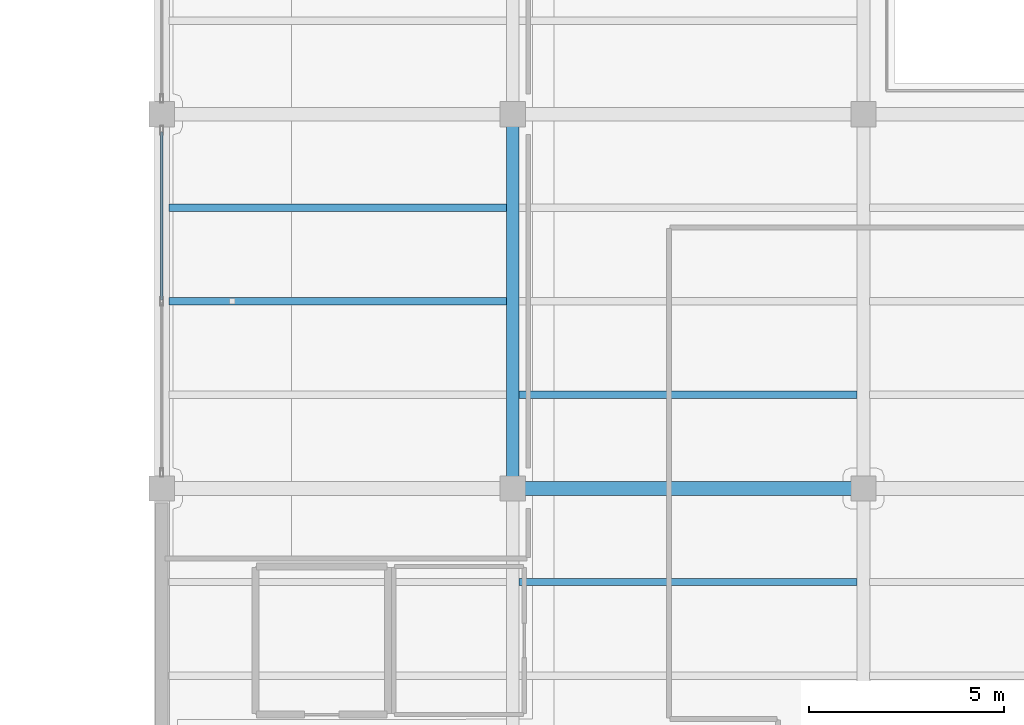
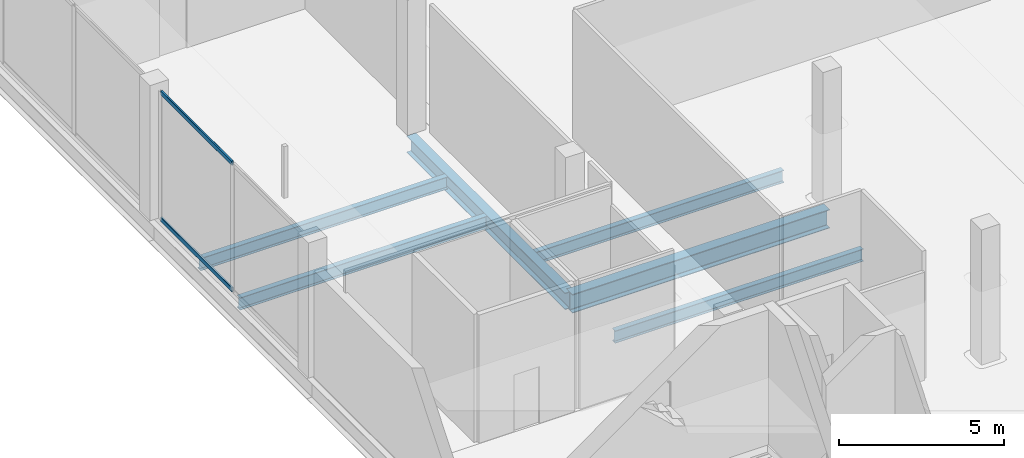
# One storey, part 4 of 46: 6 beams, 2 members, 1 element without a shape of its own.
"""IFC4 building model written with IfcOpenShell, lengths in metres."""

from ifc_helpers import new_model, si_unit, direction, frame, origin, origin_2d, place, context, subcontext, project, spatial, hollow_rectangle, i_section, extrude, material, layer, layer_set, material_profile, profile_set, type_object, element, aggregate, save


model = new_model("IFC4")

# Units and contexts
model_context = context("Model", 3, precision=1e-05, world=origin(), true_north=direction((0.0, 1.0)))
body_context = subcontext(model_context, "Body", "Model", "MODEL_VIEW")
ifc_project = project(units=[si_unit("LENGTHUNIT", "METRE"), si_unit("AREAUNIT", "SQUARE_METRE"), si_unit("VOLUMEUNIT", "CUBIC_METRE"), si_unit("PLANEANGLEUNIT", "RADIAN"), si_unit("MASSUNIT", "GRAM", prefix="KILO")], contexts=[model_context])

# Site, building, storey
site_placement = place(None, origin())
site = spatial("IfcSite", under=ifc_project, at=site_placement, CompositionType="ELEMENT")
building_placement = place(site_placement, origin())
building = spatial("IfcBuilding", under=site, at=building_placement, Name="Qorvath Tower", CompositionType="ELEMENT")
storey_placement = place(building_placement, frame((0.0, 0.0, 17.0)))
storey = spatial("IfcBuildingStorey", under=building, at=storey_placement, Name="L03", CompositionType="ELEMENT", Elevation=17.0)

# Beams
ifc_material_1 = material(Name="Steel ASTM A992 Grade 50", Category="steel")
ifc_material_profile_1 = material_profile(ifc_material_1, i_section(OverallWidth=0.35595703125, OverallDepth=0.696044921875, WebThickness=0.015380859375, FlangeThickness=0.02490234375, FilletRadius=0.01806640625, at=origin_2d()), Name="W27x146")
ifc_profile_set_1 = profile_set([ifc_material_profile_1], Name="Steel ASTM A992 Grade 50")
beam_type_1 = type_object("IfcBeamType", Name="BM-FG4", PredefinedType="BEAM", material=ifc_profile_set_1)
beam_1_placement = place(storey_placement, frame((41.39990234375, -19.199951171875, -0.60791015625), z_axis=(1.0, 0.0, 0.0), x_axis=(0.0, 1.0, 0.0)))
element("IfcBeam", 1, at=beam_1_placement, inside=storey, type_object=beam_type_1, Name="Library E-W Girder L03-3-2", PredefinedType="BEAM", context=body_context, shape_type="SweptSolid", body=[
    extrude(i_section(OverallWidth=0.35595703125, OverallDepth=0.696044921875, WebThickness=0.015380859375, FlangeThickness=0.02490234375, FilletRadius=0.01806640625, at=origin_2d()), origin(), (0.0, 0.0, 1.0), 9.0),
])
ifc_material_2 = material(Name="Steel ASTM A992 Grade 50", Category="steel")
ifc_material_profile_2 = material_profile(ifc_material_2, i_section(OverallWidth=0.324951171875, OverallDepth=0.615966796875, WebThickness=0.013916015625, FlangeThickness=0.021484375, FilletRadius=0.01611328125, at=origin_2d()), Name="W24x117")
ifc_profile_set_2 = profile_set([ifc_material_profile_2], Name="Steel ASTM A992 Grade 50")
beam_type_2 = type_object("IfcBeamType", Name="BM-FG5", PredefinedType="BEAM", material=ifc_profile_set_2)
beam_2_placement = place(storey_placement, frame((41.39990234375, -19.199951171875, -0.568115234375), z_axis=(0.0, 1.0, 0.0), x_axis=(-1.0, 0.0, 0.0)))
element("IfcBeam", 2, at=beam_2_placement, inside=storey, type_object=beam_type_2, Name="Library N-S Girder L03-2-3", PredefinedType="BEAM", context=body_context, shape_type="SweptSolid", body=[
    extrude(i_section(OverallWidth=0.324951171875, OverallDepth=0.615966796875, WebThickness=0.013916015625, FlangeThickness=0.021484375, FilletRadius=0.01611328125, at=origin_2d()), origin(), (0.0, 0.0, 1.0), 9.599853515625),
])
ifc_material_3 = material(Name="Steel ASTM A992 Grade 50", Category="steel")
ifc_material_profile_3 = material_profile(ifc_material_3, i_section(OverallWidth=0.18994140625, OverallDepth=0.45703125, WebThickness=0.009033203125, FlangeThickness=0.014404296875, FilletRadius=0.011962890625, at=origin_2d()), Name="W18x50")
ifc_profile_set_3 = profile_set([ifc_material_profile_3], Name="Steel ASTM A992 Grade 50")
beam_type_3 = type_object("IfcBeamType", Name="BM-FJ2", PredefinedType="JOIST", material=ifc_profile_set_3)
for number, where, z_axis, x_axis, name in (
    (3, (41.560546875, -21.60009765625, -0.488525390625), (1.0, 0.0, 0.0), (0.0, 1.0, 0.0), "Library Stack Joist L03-2.3-2"),
    (4, (41.560546875, -16.800048828125, -0.488525390625), (1.0, 0.0, 0.0), (0.0, 1.0, 0.0), "Library Stack Joist L03-3.1-2"),
):
    element("IfcBeam", number, at=place(storey_placement, frame(where, z_axis=z_axis, x_axis=x_axis)), inside=storey, type_object=beam_type_3, Name=name, PredefinedType="JOIST", context=body_context, shape_type="SweptSolid", body=[
        extrude(i_section(OverallWidth=0.18994140625, OverallDepth=0.45703125, WebThickness=0.009033203125, FlangeThickness=0.014404296875, FilletRadius=0.011962890625, at=origin_2d()), origin(), (0.0, 0.0, 1.0), 8.678955078125),
    ])
for number, where, z_axis, x_axis, name in (
    (5, (32.58837890625, -14.39990234375, -0.488525390625), (1.0, 0.0, 0.0), (0.0, 1.0, 0.0), "Library Stack Joist L03-3.2-1"),
    (6, (32.58837890625, -12.0, -0.488525390625), (1.0, 0.0, 0.0), (0.0, 1.0, 0.0), "Library Stack Joist L03-3.3-1"),
):
    element("IfcBeam", number, at=place(storey_placement, frame(where, z_axis=z_axis, x_axis=x_axis)), inside=storey, type_object=beam_type_3, Name=name, PredefinedType="JOIST", context=body_context, shape_type="SweptSolid", body=[
        extrude(i_section(OverallWidth=0.18994140625, OverallDepth=0.45703125, WebThickness=0.009033203125, FlangeThickness=0.014404296875, FilletRadius=0.011962890625, at=origin_2d()), origin(), (0.0, 0.0, 1.0), 8.651123046875),
    ])

# Curtain wall, members
ifc_material_4 = material(Name="Anodised aluminium and triple low-E glass", Category="aluminium")
ifc_layer = layer(ifc_material_4, 0.179931640625)
ifc_layer_set = layer_set([ifc_layer], Name="CW-SYS-6")
curtain_wall_type = type_object("IfcCurtainWallType", Name="CW-SYS-6", PredefinedType="NOTDEFINED", material=ifc_layer_set)
curtain_wall_placement = place(storey_placement, origin())
curtain_wall = element("IfcCurtainWall", 7, at=curtain_wall_placement, inside=storey, type_object=curtain_wall_type, Name="Curtain Wall CW-6 CW-LIB-W-L03-3", PredefinedType="NOTDEFINED")
ifc_material_5 = material(Name="Anodised aluminium 6063-T6", Category="aluminium")
ifc_material_profile_4 = material_profile(ifc_material_5, hollow_rectangle(XDim=0.06494140625, YDim=0.159912109375, WallThickness=0.00341796875, InnerFilletRadius=0.00341796875, OuterFilletRadius=0.007080078125, at=origin_2d()), Name="CWT 160x65")
ifc_profile_set_4 = profile_set([ifc_material_profile_4], Name="Anodised aluminium 6063-T6")
member_type = type_object("IfcMemberType", Name="CWT-160", PredefinedType="USERDEFINED", material=ifc_profile_set_4)
member_1_placement = place(storey_placement, frame((32.39990234375, -14.360107421875, 0.032470703125), z_axis=(0.0, 1.0, 0.0), x_axis=(-1.0, 0.0, 0.0)))
member_1 = element("IfcMember", 8, at=member_1_placement, type_object=member_type, Name="CW-6 transom 2.1", ObjectType="TRANSOM", PredefinedType="USERDEFINED", context=body_context, shape_type="SweptSolid", body=[
    extrude(hollow_rectangle(XDim=0.06494140625, YDim=0.159912109375, WallThickness=0.00341796875, InnerFilletRadius=0.00341796875, OuterFilletRadius=0.007080078125, at=origin_2d()), origin(), (0.0, 0.0, 1.0), 4.31005859375),
])
member_2_placement = place(storey_placement, frame((32.39990234375, -14.360107421875, 4.70751953125), z_axis=(0.0, 1.0, 0.0), x_axis=(-1.0, 0.0, 0.0)))
member_2 = element("IfcMember", 9, at=member_2_placement, type_object=member_type, Name="CW-6 transom 2.2", ObjectType="TRANSOM", PredefinedType="USERDEFINED", context=body_context, shape_type="SweptSolid", body=[
    extrude(hollow_rectangle(XDim=0.06494140625, YDim=0.159912109375, WallThickness=0.00341796875, InnerFilletRadius=0.00341796875, OuterFilletRadius=0.007080078125, at=origin_2d()), origin(), (0.0, 0.0, 1.0), 4.31005859375),
])
aggregate(curtain_wall, [member_1, member_2])

save(model, "model.ifc")
